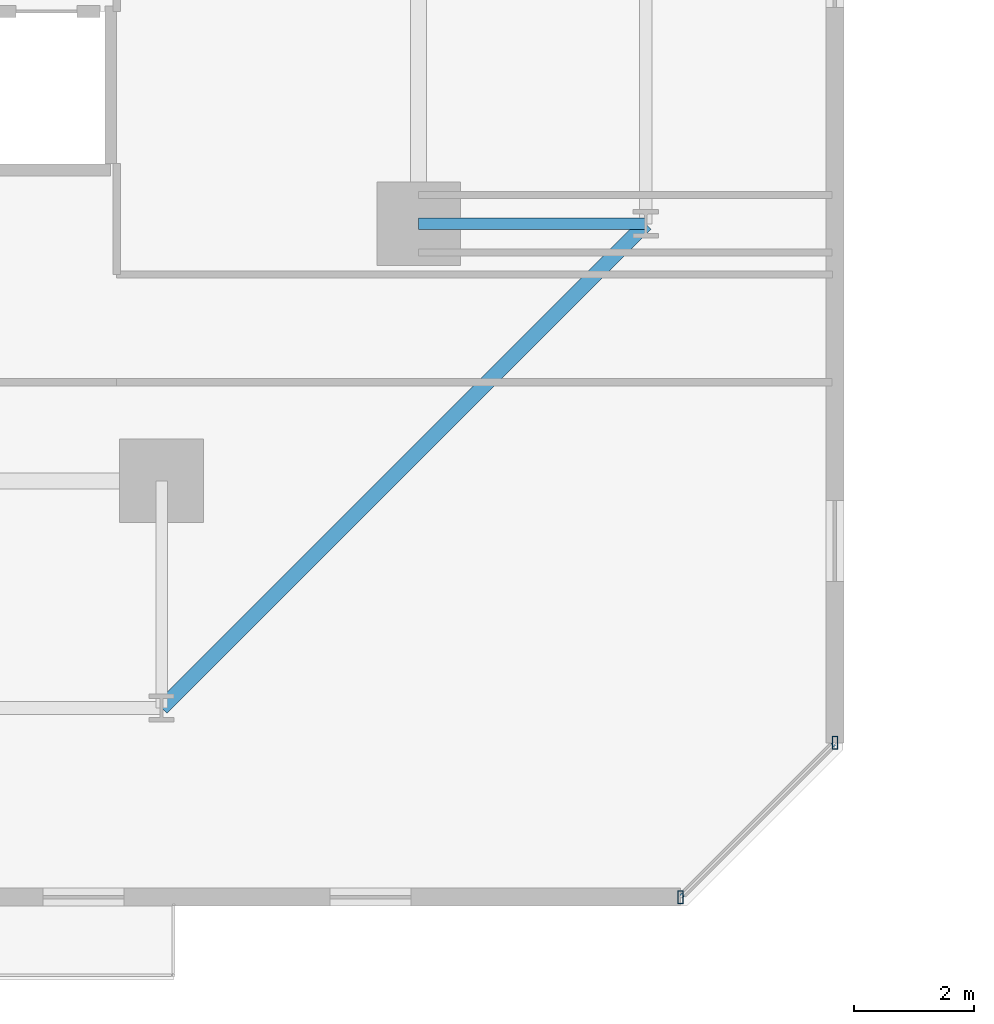
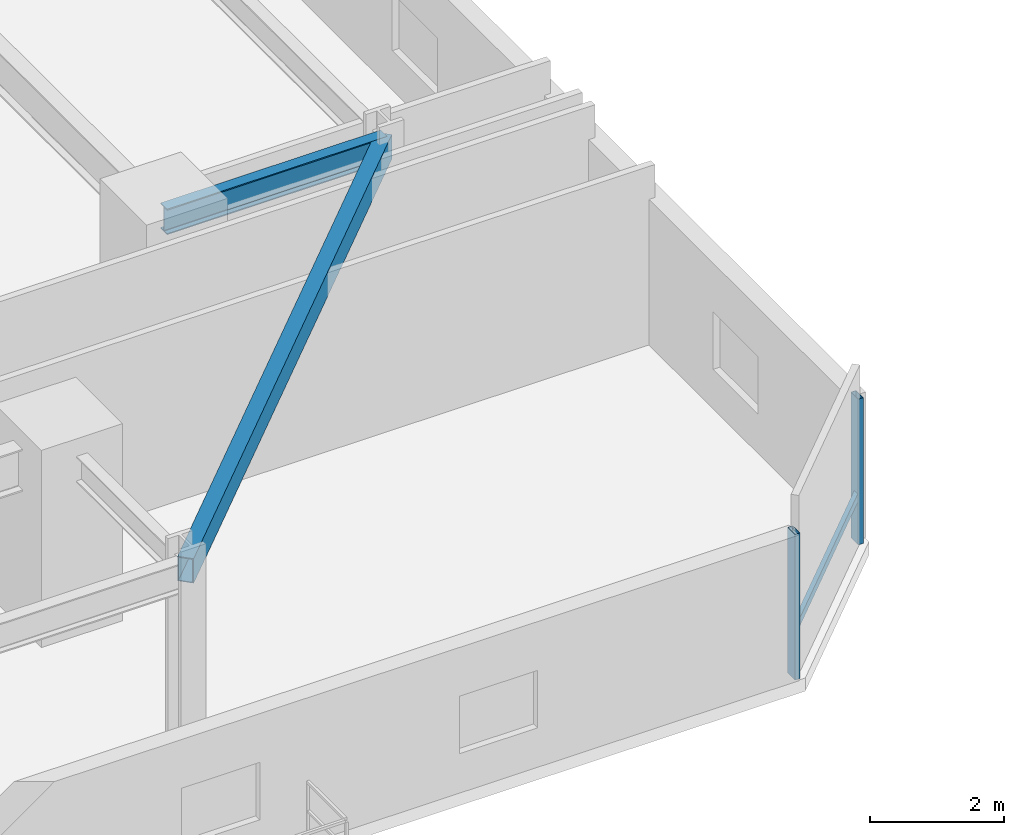
# One storey, part 5 of 36: 3 members, 2 beams, 1 element without a shape of its own.
"""IFC4 building model written with IfcOpenShell, lengths in metres."""

import ifcopenshell
import ifcopenshell.guid

model = None  # the IFC model being written
_history = None  # IfcOwnerHistory: only IFC2X3 demands one
_inside = {}  # id of a spatial element -> (the spatial element, [elements in it])
_under = {}  # id of a project, library or spatial element -> (it, [spatial elements below it])
_declared = {}  # id of a project -> (the project, [libraries it declares])
_typed = {}  # id of a type object -> (the type object, [elements of that type])
_made_of = {}  # id of a material, layer set ... -> (it, [elements and type objects made of it])


def new_model(schema):
    """Start an empty IFC model of exactly this schema.

    Asked for "IFC4X3", IfcOpenShell would pick the latest addendum, in which some entities
    have other attributes; the version numbers below select the first issue.
    IFC2X3 requires an IfcOwnerHistory on every rooted entity: one is made here for all.
    """
    global model, _history
    if schema == "IFC4X3":
        model = ifcopenshell.file(schema_version=(4, 3, 0, 0))
    else:
        model = ifcopenshell.file(schema=schema)
    _inside.clear()
    _under.clear()
    _declared.clear()
    _typed.clear()
    _made_of.clear()
    _history = None
    if model.schema == "IFC2X3":
        org = make("IfcOrganization", Name="unknown")
        user = make(
            "IfcPersonAndOrganization",
            ThePerson=make("IfcPerson", FamilyName="unknown"),
            TheOrganization=org,
        )
        app = make(
            "IfcApplication",
            ApplicationDeveloper=org,
            Version="unknown",
            ApplicationFullName="unknown",
            ApplicationIdentifier="unknown",
        )
        _history = make(
            "IfcOwnerHistory",
            OwningUser=user,
            OwningApplication=app,
            ChangeAction="ADDED",
            CreationDate=0,
        )
    return model


def make(cls, **values):
    """One entity of the class cls with the attributes given. An attribute that is None is left unset."""
    return model.create_entity(
        cls, **{name: value for name, value in values.items() if value is not None}
    )


def rooted(cls, **values):
    """An entity with a GlobalId (a new one), such as an element, a storey or a relation."""
    return make(cls, GlobalId=ifcopenshell.guid.new(), OwnerHistory=_history, **values)


def si_unit(unit_type, name, prefix=None):
    """IfcSIUnit, for example si_unit("LENGTHUNIT", "METRE", prefix="MILLI")."""
    return make("IfcSIUnit", UnitType=unit_type, Prefix=prefix, Name=name)


def assignment(units):
    """IfcUnitAssignment: the units of a project."""
    return None if units is None else make("IfcUnitAssignment", Units=units)


def point(xyz):
    """IfcCartesianPoint."""
    return None if xyz is None else make("IfcCartesianPoint", Coordinates=xyz)


def direction(xyz):
    """IfcDirection."""
    return None if xyz is None else make("IfcDirection", DirectionRatios=xyz)


def frame(location, z_axis=None, x_axis=None):
    """IfcAxis2Placement3D, a coordinate frame: its origin and axes. An axis left out is left unset."""
    return make(
        "IfcAxis2Placement3D",
        Location=point(location),
        Axis=direction(z_axis),
        RefDirection=direction(x_axis),
    )


def frame_2d(location, x_axis=None):
    """IfcAxis2Placement2D, a coordinate frame in the plane: its origin and x axis."""
    return make(
        "IfcAxis2Placement2D", Location=point(location), RefDirection=direction(x_axis)
    )


def origin():
    """The frame at (0, 0, 0) with its axes left unset."""
    return frame((0.0, 0.0, 0.0))


def origin_2d():
    """The frame at (0, 0) in the plane with its x axis left unset."""
    return frame_2d((0.0, 0.0))


def place(relative_to, where):
    """IfcLocalPlacement: puts the frame where relative to a parent placement (None: the world)."""
    return make(
        "IfcLocalPlacement", PlacementRelTo=relative_to, RelativePlacement=where
    )


def context(
    kind, dimensions, precision=None, world=None, true_north=None, identifier=None
):
    """IfcGeometricRepresentationContext, for example the 3D "Model" context."""
    return make(
        "IfcGeometricRepresentationContext",
        ContextIdentifier=identifier,
        ContextType=kind,
        CoordinateSpaceDimension=dimensions,
        Precision=precision,
        WorldCoordinateSystem=world,
        TrueNorth=true_north,
    )


def subcontext(parent, identifier, kind, view, scale=None):
    """IfcGeometricRepresentationSubContext, for example "Body" below "Model"."""
    return make(
        "IfcGeometricRepresentationSubContext",
        ContextIdentifier=identifier,
        ContextType=kind,
        ParentContext=parent,
        TargetScale=scale,
        TargetView=view,
    )


def project(units=None, contexts=None):
    """IfcProject with its units and contexts."""
    return rooted(
        "IfcProject",
        Name="project",
        RepresentationContexts=contexts,
        UnitsInContext=assignment(units),
    )


def spatial(cls, under=None, at=None, **own):
    """A site, building, storey or space (cls), placed at a placement, below another one or the project."""
    s = rooted(cls, ObjectPlacement=at, **own)
    if under is not None:
        _under.setdefault(under.id(), (under, []))[1].append(s)
    return s


def profile(cls, at=None, kind="AREA", **sizes):
    """A parametric profile (cls). Its sizes go by their IFC names, for example OverallWidth=200.0."""
    return make(cls, ProfileType=kind, Position=at, **sizes)


def hollow_rectangle(**sizes):
    """IfcRectangleHollowProfileDef."""
    return profile("IfcRectangleHollowProfileDef", **sizes)


def i_section(**sizes):
    """IfcIShapeProfileDef."""
    return profile("IfcIShapeProfileDef", **sizes)


def extrude(swept, where, along, depth):
    """IfcExtrudedAreaSolid: the profile swept, set in the frame where, extruded along a direction by depth."""
    return make(
        "IfcExtrudedAreaSolid",
        SweptArea=swept,
        Position=where,
        ExtrudedDirection=direction(along),
        Depth=depth,
    )


def shape(context_of_items, identifier, shape_type, items):
    """IfcShapeRepresentation: the items that make up one representation, for example the "Body"."""
    return make(
        "IfcShapeRepresentation",
        ContextOfItems=context_of_items,
        RepresentationIdentifier=identifier,
        RepresentationType=shape_type,
        Items=items,
    )


def material(Name=None, Category=None):
    """IfcMaterial."""
    return make("IfcMaterial", Name=Name, Category=Category)


def material_profile(
    of_material, cross_section, Name=None, Category=None, Priority=None
):
    """IfcMaterialProfile: a cross section and its material."""
    return make(
        "IfcMaterialProfile",
        Name=Name,
        Material=of_material,
        Profile=cross_section,
        Priority=Priority,
        Category=Category,
    )


def profile_set(profiles, Name=None, composite=None):
    """IfcMaterialProfileSet."""
    return make(
        "IfcMaterialProfileSet",
        Name=Name,
        MaterialProfiles=profiles,
        CompositeProfile=composite,
    )


def made_of(thing, what):
    """Note that an element or type object is made of a material, layer set ...; save() writes the relation."""
    if what is not None:
        _made_of.setdefault(what.id(), (what, []))[1].append(thing)
    return thing


def type_object(cls, material=None, **own):
    """A type object (cls), such as IfcWallType, which elements share."""
    return made_of(rooted(cls, **own), material)


def element(
    cls,
    number,
    at=None,
    inside=None,
    cuts=None,
    type_object=None,
    material=None,
    context=None,
    identifier="Body",
    shape_type=None,
    held_by="IfcProductDefinitionShape",
    body=None,
    shapes=None,
    **own,
):
    """One element of the class cls, such as IfcWall. Its Tag is "e" and its number.

    at: its placement. inside: the storey or other place that contains it. cuts: it is an
    opening in that element (IfcRelVoidsElement). A single representation is given by context,
    identifier, shape_type and body (its items); several are given by shapes. held_by: the class
    of the entity that holds the representations. save() writes the other relations.
    """
    e = rooted(cls, Tag="e%d" % number, ObjectPlacement=at, **own)
    if body is not None:
        shapes = [shape(context, identifier, shape_type, body)]
    if shapes is not None:
        e.Representation = make(held_by, Representations=shapes)
    if inside is not None:
        _inside.setdefault(inside.id(), (inside, []))[1].append(e)
    if cuts is not None:
        rooted(
            "IfcRelVoidsElement", RelatingBuildingElement=cuts, RelatedOpeningElement=e
        )
    if type_object is not None:
        _typed.setdefault(type_object.id(), (type_object, []))[1].append(e)
    return made_of(e, material)


def aggregate(whole, parts):
    """IfcRelAggregates: a whole, such as a stair, and the parts it consists of."""
    return rooted("IfcRelAggregates", RelatingObject=whole, RelatedObjects=parts)


def save(model, path):
    """Write the relations noted so far, then the file.

    IfcRelAggregates (storeys below a building ...), IfcRelContainedInSpatialStructure (elements
    in a storey), IfcRelDefinesByType, IfcRelAssociatesMaterial and IfcRelDeclares: one each for
    every whole, place, type object, material and project.
    """
    for whole, parts in _under.values():
        aggregate(whole, parts)
    for where, things in _inside.values():
        rooted(
            "IfcRelContainedInSpatialStructure",
            RelatedElements=things,
            RelatingStructure=where,
        )
    for kind, things in _typed.values():
        rooted("IfcRelDefinesByType", RelatedObjects=things, RelatingType=kind)
    for what, things in _made_of.values():
        rooted("IfcRelAssociatesMaterial", RelatedObjects=things, RelatingMaterial=what)
    for by, libraries in _declared.values():
        rooted("IfcRelDeclares", RelatingContext=by, RelatedDefinitions=libraries)
    model.write(path)


model = new_model("IFC4")

# Units and contexts
model_context = context("Model", 3, precision=1e-05, world=origin(), true_north=direction((0.0, 1.0)))
body_context = subcontext(model_context, "Body", "Model", "MODEL_VIEW")
ifc_project = project(units=[si_unit("LENGTHUNIT", "METRE"), si_unit("AREAUNIT", "SQUARE_METRE"), si_unit("VOLUMEUNIT", "CUBIC_METRE"), si_unit("PLANEANGLEUNIT", "RADIAN"), si_unit("MASSUNIT", "GRAM", prefix="KILO")], contexts=[model_context])

# Site, building, storey
site_placement = place(None, origin())
site = spatial("IfcSite", under=ifc_project, at=site_placement, CompositionType="ELEMENT")
building_placement = place(site_placement, origin())
building = spatial("IfcBuilding", under=site, at=building_placement, Name="Thornwick Lancets Civic Towers", CompositionType="ELEMENT")
storey_placement = place(building_placement, frame((0.0, 0.0, 68.10009765625)))
storey = spatial("IfcBuildingStorey", under=building, at=storey_placement, Name="L17", CompositionType="ELEMENT", Elevation=68.10009765625)

# Beams
ifc_material_1 = material(Name="Steel S355JR", Category="steel")
ifc_material_profile_1 = material_profile(ifc_material_1, i_section(OverallWidth=0.19287109375, OverallDepth=0.46728515625, WebThickness=0.011474609375, FlangeThickness=0.01953125, FilletRadius=0.01025390625, at=origin_2d()), Name="UKB 457x191x98")
ifc_profile_set_1 = profile_set([ifc_material_profile_1], Name="Steel S355JR")
beam_type_1 = type_object("IfcBeamType", Name="BM_JOIST_457_98", PredefinedType="JOIST", material=ifc_profile_set_1)
beam_1_placement = place(storey_placement, frame((42.800048828125, 14.0, 3.04638671875), z_axis=(1.0, 0.0, 0.0), x_axis=(0.0, 1.0, 0.0)))
element("IfcBeam", 1, at=beam_1_placement, inside=storey, type_object=beam_type_1, Name="BM-RAD-L17-A04", PredefinedType="JOIST", context=body_context, shape_type="SweptSolid", body=[
    extrude(i_section(OverallWidth=0.19287109375, OverallDepth=0.46728515625, WebThickness=0.011474609375, FlangeThickness=0.01953125, FilletRadius=0.01025390625, at=origin_2d()), origin(), (0.0, 0.0, 1.0), 3.800048828125),
])
ifc_material_profile_2 = material_profile(ifc_material_1, hollow_rectangle(XDim=0.25, YDim=0.449951171875, WallThickness=0.01611328125, at=origin_2d()), Name="RHS 450x250x16")
ifc_profile_set_2 = profile_set([ifc_material_profile_2], Name="Steel S355JR")
beam_type_2 = type_object("IfcBeamType", Name="BM_RING_RHS450", PredefinedType="BEAM", material=ifc_profile_set_2)
beam_2_placement = place(storey_placement, frame((38.5, 5.89990234375, 3.054931640625), z_axis=(0.707106781187, 0.707106781187, 0.0), x_axis=(-0.707106781187, 0.707106781187, 0.0)))
element("IfcBeam", 2, at=beam_2_placement, inside=storey, type_object=beam_type_2, Name="BM-CHAMF-L17-A-C0", PredefinedType="BEAM", context=body_context, shape_type="SweptSolid", body=[
    extrude(hollow_rectangle(XDim=0.25, YDim=0.449951171875, WallThickness=0.01611328125, at=origin_2d()), origin(), (0.0, 0.0, 1.0), 11.455322265625),
])

# Curtain wall, members
ifc_material_2 = material(Name="Low-zone chamfered-corner unitised glass curtain wall", Category="glass")
curtain_wall_type = type_object("IfcCurtainWallType", Name="CW_SYS_03", PredefinedType="NOTDEFINED", material=ifc_material_2)
curtain_wall_placement = place(storey_placement, origin())
curtain_wall = element("IfcCurtainWall", 3, at=curtain_wall_placement, inside=storey, type_object=curtain_wall_type, Name="L17 Curtain Wall CW-L17-A-E1", PredefinedType="NOTDEFINED")
ifc_material_3 = material(Name="Thermally broken bronze aluminium S355", Category="steel")
ifc_material_profile_3 = material_profile(ifc_material_3, hollow_rectangle(XDim=0.090087890625, YDim=0.219970703125, WallThickness=0.00634765625, at=origin_2d()), Name="RHS 220x90x6.3")
ifc_profile_set_3 = profile_set([ifc_material_profile_3], Name="Thermally broken bronze aluminium S355")
member_type_1 = type_object("IfcMemberType", Name="CW_MUL_220", PredefinedType="MULLION", material=ifc_profile_set_3)
member_1_placement = place(storey_placement, frame((47.18115234375, 2.735107421875, 0.0), z_axis=(0.0, 0.0, 1.0), x_axis=(1.0, 0.0, 0.0)))
member_1 = element("IfcMember", 4, at=member_1_placement, type_object=member_type_1, Name="CW-L17-A-E1 Mullion 0", PredefinedType="MULLION", context=body_context, shape_type="SweptSolid", body=[
    extrude(hollow_rectangle(XDim=0.090087890625, YDim=0.219970703125, WallThickness=0.00634765625, at=origin_2d()), origin(), (0.0, 0.0, 1.0), 2.659912109375),
])
member_2_placement = place(storey_placement, frame((49.764892578125, 5.31884765625, 0.0), z_axis=(0.0, 0.0, 1.0), x_axis=(1.0, 0.0, 0.0)))
member_2 = element("IfcMember", 5, at=member_2_placement, type_object=member_type_1, Name="CW-L17-A-E1 Mullion 1", PredefinedType="MULLION", context=body_context, shape_type="SweptSolid", body=[
    extrude(hollow_rectangle(XDim=0.090087890625, YDim=0.219970703125, WallThickness=0.00634765625, at=origin_2d()), origin(), (0.0, 0.0, 1.0), 2.659912109375),
])
ifc_material_profile_4 = material_profile(ifc_material_3, hollow_rectangle(XDim=0.074951171875, YDim=0.14990234375, WallThickness=0.0048828125, at=origin_2d()), Name="RHS 150x75x5")
ifc_profile_set_4 = profile_set([ifc_material_profile_4], Name="Thermally broken bronze aluminium S355")
member_type_2 = type_object("IfcMemberType", Name="CW_TRN_150", PredefinedType="USERDEFINED", material=ifc_profile_set_4)
member_3_placement = place(storey_placement, frame((47.1953125, 2.749267578125, 0.849853515625), z_axis=(0.707106781187, 0.707106781187, 0.0), x_axis=(-0.707106781187, 0.707106781187, 0.0)))
member_3 = element("IfcMember", 6, at=member_3_placement, type_object=member_type_2, Name="CW-L17-A-E1 Transom 0", ObjectType="TRANSOM", PredefinedType="USERDEFINED", context=body_context, shape_type="SweptSolid", body=[
    extrude(hollow_rectangle(XDim=0.074951171875, YDim=0.14990234375, WallThickness=0.0048828125, at=origin_2d()), origin(), (0.0, 0.0, 1.0), 3.614013671875),
])
aggregate(curtain_wall, [member_1, member_2, member_3])

save(model, "model.ifc")
